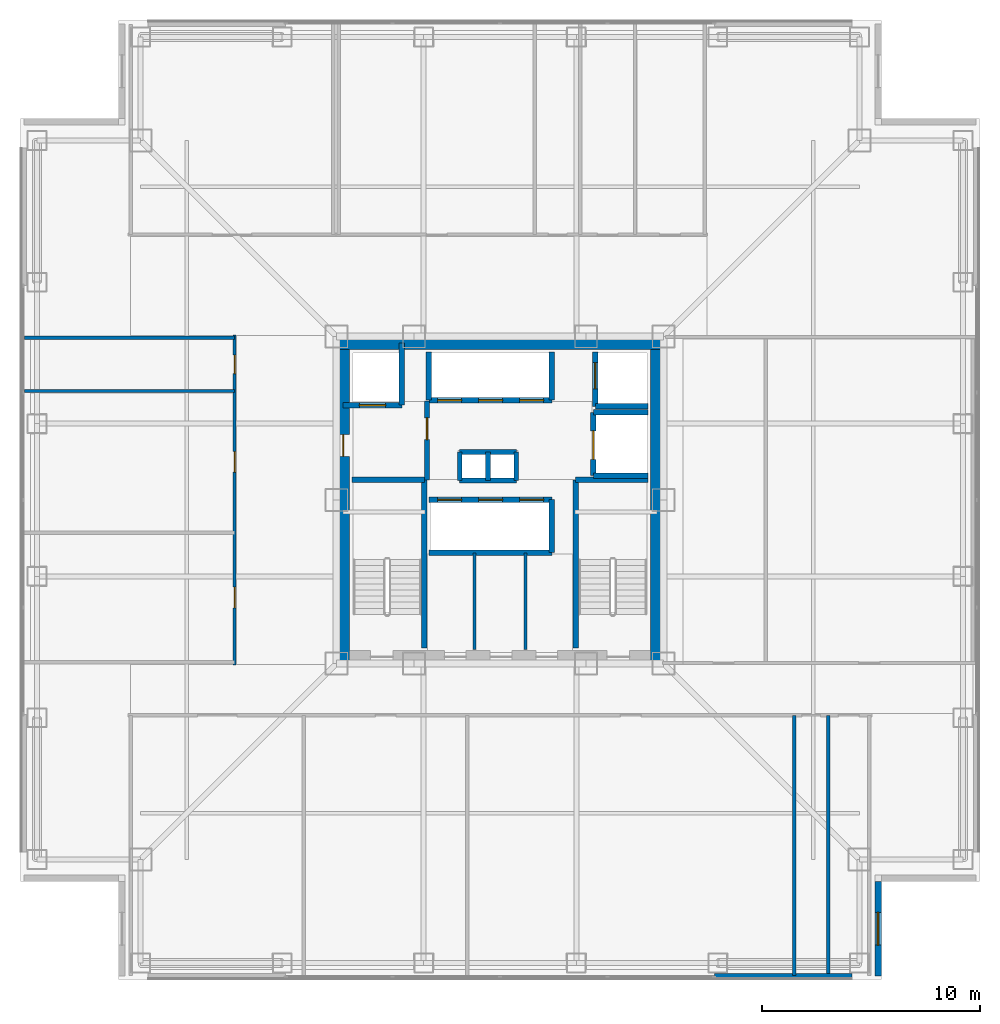
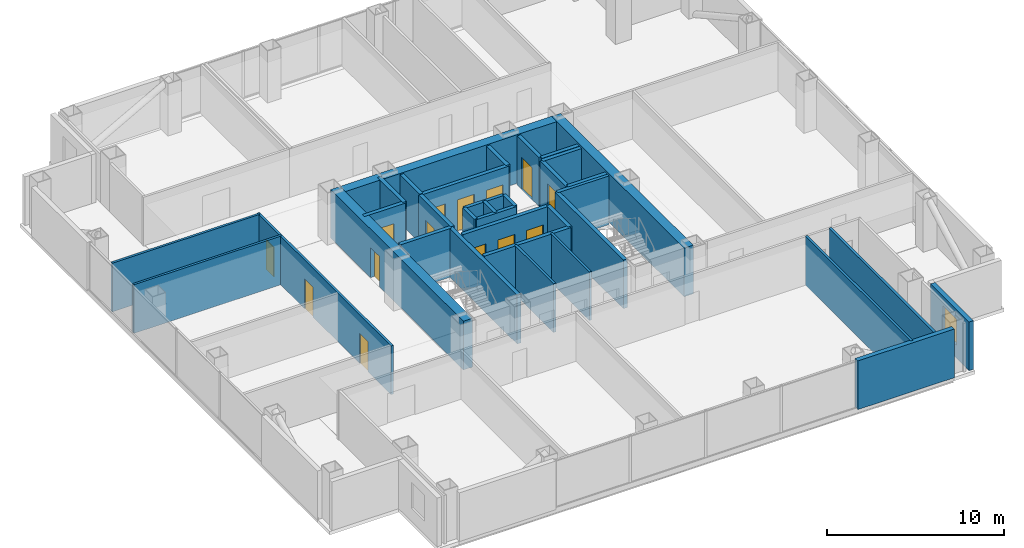
# One storey, part 12 of 16: 35 walls, 14 doors, 1 window, 15 openings.
"""IFC4 building model written with IfcOpenShell, lengths in metres."""

import ifcopenshell
import ifcopenshell.guid

model = None  # the IFC model being written
_history = None  # IfcOwnerHistory: only IFC2X3 demands one
_inside = {}  # id of a spatial element -> (the spatial element, [elements in it])
_under = {}  # id of a project, library or spatial element -> (it, [spatial elements below it])
_declared = {}  # id of a project -> (the project, [libraries it declares])
_typed = {}  # id of a type object -> (the type object, [elements of that type])
_made_of = {}  # id of a material, layer set ... -> (it, [elements and type objects made of it])


def new_model(schema):
    """Start an empty IFC model of exactly this schema.

    Asked for "IFC4X3", IfcOpenShell would pick the latest addendum, in which some entities
    have other attributes; the version numbers below select the first issue.
    IFC2X3 requires an IfcOwnerHistory on every rooted entity: one is made here for all.
    """
    global model, _history
    if schema == "IFC4X3":
        model = ifcopenshell.file(schema_version=(4, 3, 0, 0))
    else:
        model = ifcopenshell.file(schema=schema)
    _inside.clear()
    _under.clear()
    _declared.clear()
    _typed.clear()
    _made_of.clear()
    _history = None
    if model.schema == "IFC2X3":
        org = make("IfcOrganization", Name="unknown")
        user = make(
            "IfcPersonAndOrganization",
            ThePerson=make("IfcPerson", FamilyName="unknown"),
            TheOrganization=org,
        )
        app = make(
            "IfcApplication",
            ApplicationDeveloper=org,
            Version="unknown",
            ApplicationFullName="unknown",
            ApplicationIdentifier="unknown",
        )
        _history = make(
            "IfcOwnerHistory",
            OwningUser=user,
            OwningApplication=app,
            ChangeAction="ADDED",
            CreationDate=0,
        )
    return model


def make(cls, **values):
    """One entity of the class cls with the attributes given. An attribute that is None is left unset."""
    return model.create_entity(
        cls, **{name: value for name, value in values.items() if value is not None}
    )


def rooted(cls, **values):
    """An entity with a GlobalId (a new one), such as an element, a storey or a relation."""
    return make(cls, GlobalId=ifcopenshell.guid.new(), OwnerHistory=_history, **values)


def si_unit(unit_type, name, prefix=None):
    """IfcSIUnit, for example si_unit("LENGTHUNIT", "METRE", prefix="MILLI")."""
    return make("IfcSIUnit", UnitType=unit_type, Prefix=prefix, Name=name)


def assignment(units):
    """IfcUnitAssignment: the units of a project."""
    return None if units is None else make("IfcUnitAssignment", Units=units)


def point(xyz):
    """IfcCartesianPoint."""
    return None if xyz is None else make("IfcCartesianPoint", Coordinates=xyz)


def direction(xyz):
    """IfcDirection."""
    return None if xyz is None else make("IfcDirection", DirectionRatios=xyz)


def frame(location, z_axis=None, x_axis=None):
    """IfcAxis2Placement3D, a coordinate frame: its origin and axes. An axis left out is left unset."""
    return make(
        "IfcAxis2Placement3D",
        Location=point(location),
        Axis=direction(z_axis),
        RefDirection=direction(x_axis),
    )


def frame_2d(location, x_axis=None):
    """IfcAxis2Placement2D, a coordinate frame in the plane: its origin and x axis."""
    return make(
        "IfcAxis2Placement2D", Location=point(location), RefDirection=direction(x_axis)
    )


def origin():
    """The frame at (0, 0, 0) with its axes left unset."""
    return frame((0.0, 0.0, 0.0))


def place(relative_to, where):
    """IfcLocalPlacement: puts the frame where relative to a parent placement (None: the world)."""
    return make(
        "IfcLocalPlacement", PlacementRelTo=relative_to, RelativePlacement=where
    )


def context(
    kind, dimensions, precision=None, world=None, true_north=None, identifier=None
):
    """IfcGeometricRepresentationContext, for example the 3D "Model" context."""
    return make(
        "IfcGeometricRepresentationContext",
        ContextIdentifier=identifier,
        ContextType=kind,
        CoordinateSpaceDimension=dimensions,
        Precision=precision,
        WorldCoordinateSystem=world,
        TrueNorth=true_north,
    )


def subcontext(parent, identifier, kind, view, scale=None):
    """IfcGeometricRepresentationSubContext, for example "Body" below "Model"."""
    return make(
        "IfcGeometricRepresentationSubContext",
        ContextIdentifier=identifier,
        ContextType=kind,
        ParentContext=parent,
        TargetScale=scale,
        TargetView=view,
    )


def project(units=None, contexts=None):
    """IfcProject with its units and contexts."""
    return rooted(
        "IfcProject",
        Name="project",
        RepresentationContexts=contexts,
        UnitsInContext=assignment(units),
    )


def spatial(cls, under=None, at=None, **own):
    """A site, building, storey or space (cls), placed at a placement, below another one or the project."""
    s = rooted(cls, ObjectPlacement=at, **own)
    if under is not None:
        _under.setdefault(under.id(), (under, []))[1].append(s)
    return s


def profile(cls, at=None, kind="AREA", **sizes):
    """A parametric profile (cls). Its sizes go by their IFC names, for example OverallWidth=200.0."""
    return make(cls, ProfileType=kind, Position=at, **sizes)


def rectangle(**sizes):
    """IfcRectangleProfileDef."""
    return profile("IfcRectangleProfileDef", **sizes)


def extrude(swept, where, along, depth):
    """IfcExtrudedAreaSolid: the profile swept, set in the frame where, extruded along a direction by depth."""
    return make(
        "IfcExtrudedAreaSolid",
        SweptArea=swept,
        Position=where,
        ExtrudedDirection=direction(along),
        Depth=depth,
    )


def shape(context_of_items, identifier, shape_type, items):
    """IfcShapeRepresentation: the items that make up one representation, for example the "Body"."""
    return make(
        "IfcShapeRepresentation",
        ContextOfItems=context_of_items,
        RepresentationIdentifier=identifier,
        RepresentationType=shape_type,
        Items=items,
    )


def material(Name=None, Category=None):
    """IfcMaterial."""
    return make("IfcMaterial", Name=Name, Category=Category)


def layer(
    of_material, thickness, ventilated=None, Name=None, Category=None, Priority=None
):
    """IfcMaterialLayer: one layer of a wall or slab, of a material (None: an air gap)."""
    return make(
        "IfcMaterialLayer",
        Material=of_material,
        LayerThickness=thickness,
        IsVentilated=ventilated,
        Name=Name,
        Category=Category,
        Priority=Priority,
    )


def layer_set(layers, Name=None):
    """IfcMaterialLayerSet."""
    return make("IfcMaterialLayerSet", MaterialLayers=layers, LayerSetName=Name)


def made_of(thing, what):
    """Note that an element or type object is made of a material, layer set ...; save() writes the relation."""
    if what is not None:
        _made_of.setdefault(what.id(), (what, []))[1].append(thing)
    return thing


def type_object(cls, material=None, **own):
    """A type object (cls), such as IfcWallType, which elements share."""
    return made_of(rooted(cls, **own), material)


def element(
    cls,
    number,
    at=None,
    inside=None,
    cuts=None,
    type_object=None,
    material=None,
    context=None,
    identifier="Body",
    shape_type=None,
    held_by="IfcProductDefinitionShape",
    body=None,
    shapes=None,
    **own,
):
    """One element of the class cls, such as IfcWall. Its Tag is "e" and its number.

    at: its placement. inside: the storey or other place that contains it. cuts: it is an
    opening in that element (IfcRelVoidsElement). A single representation is given by context,
    identifier, shape_type and body (its items); several are given by shapes. held_by: the class
    of the entity that holds the representations. save() writes the other relations.
    """
    e = rooted(cls, Tag="e%d" % number, ObjectPlacement=at, **own)
    if body is not None:
        shapes = [shape(context, identifier, shape_type, body)]
    if shapes is not None:
        e.Representation = make(held_by, Representations=shapes)
    if inside is not None:
        _inside.setdefault(inside.id(), (inside, []))[1].append(e)
    if cuts is not None:
        rooted(
            "IfcRelVoidsElement", RelatingBuildingElement=cuts, RelatedOpeningElement=e
        )
    if type_object is not None:
        _typed.setdefault(type_object.id(), (type_object, []))[1].append(e)
    return made_of(e, material)


def fill(opening, filler):
    """IfcRelFillsElement: the door or window that sits in an opening."""
    return rooted(
        "IfcRelFillsElement",
        RelatingOpeningElement=opening,
        RelatedBuildingElement=filler,
    )


def aggregate(whole, parts):
    """IfcRelAggregates: a whole, such as a stair, and the parts it consists of."""
    return rooted("IfcRelAggregates", RelatingObject=whole, RelatedObjects=parts)


def save(model, path):
    """Write the relations noted so far, then the file.

    IfcRelAggregates (storeys below a building ...), IfcRelContainedInSpatialStructure (elements
    in a storey), IfcRelDefinesByType, IfcRelAssociatesMaterial and IfcRelDeclares: one each for
    every whole, place, type object, material and project.
    """
    for whole, parts in _under.values():
        aggregate(whole, parts)
    for where, things in _inside.values():
        rooted(
            "IfcRelContainedInSpatialStructure",
            RelatedElements=things,
            RelatingStructure=where,
        )
    for kind, things in _typed.values():
        rooted("IfcRelDefinesByType", RelatedObjects=things, RelatingType=kind)
    for what, things in _made_of.values():
        rooted("IfcRelAssociatesMaterial", RelatedObjects=things, RelatingMaterial=what)
    for by, libraries in _declared.values():
        rooted("IfcRelDeclares", RelatingContext=by, RelatedDefinitions=libraries)
    model.write(path)


model = new_model("IFC4")

# Units and contexts
model_context = context("Model", 3, precision=1e-05, world=origin(), true_north=direction((0.0, 1.0)))
body_context = subcontext(model_context, "Body", "Model", "MODEL_VIEW")
ifc_project = project(units=[si_unit("LENGTHUNIT", "METRE"), si_unit("AREAUNIT", "SQUARE_METRE"), si_unit("VOLUMEUNIT", "CUBIC_METRE"), si_unit("PLANEANGLEUNIT", "RADIAN"), si_unit("MASSUNIT", "GRAM", prefix="KILO")], contexts=[model_context])

# Site, building, storey
site_placement = place(None, origin())
site = spatial("IfcSite", under=ifc_project, at=site_placement, CompositionType="ELEMENT")
building_placement = place(site_placement, origin())
building = spatial("IfcBuilding", under=site, at=building_placement, Name="Trevonay Congress Spire", CompositionType="ELEMENT")
storey_placement = place(building_placement, frame((0.0, 0.0, 101.199951171875)))
storey = spatial("IfcBuildingStorey", under=building, at=storey_placement, Name="L25", CompositionType="ELEMENT", Elevation=101.199951171875)

# Wall
ifc_material_1 = material(Name="Concrete C60/75", Category="concrete")
ifc_layer_1 = layer(ifc_material_1, 0.60009765625, Name="Concrete C60/75")
ifc_layer_set_1 = layer_set([ifc_layer_1], Name="Concrete C60/75")
wall_type_1 = type_object("IfcWallType", Name="WAL-CORE-600", PredefinedType="SHEAR", material=ifc_layer_set_1)
wall_1_placement = place(storey_placement, frame((-7.5, 7.199951171875, 0.0), z_axis=(0.0, 0.0, 1.0), x_axis=(1.0, 0.0, 0.0)))
element("IfcWall", 1, at=wall_1_placement, inside=storey, type_object=wall_type_1, Name="L25 North structural core shear wall", PredefinedType="SHEAR", context=body_context, shape_type="SweptSolid", body=[
    extrude(rectangle(XDim=15.0, YDim=0.60009765625, at=frame_2d((7.5, 0.0))), origin(), (0.0, 0.0, 1.0), 3.360107421875),
])

# Wall, opening, door
wall_2_placement = place(storey_placement, frame((-7.199951171875, -7.5, 0.0), z_axis=(0.0, 0.0, 1.0), x_axis=(0.0, 1.0, 0.0)))
wall_2 = element("IfcWall", 2, at=wall_2_placement, inside=storey, type_object=wall_type_1, Name="L25 West structural core shear wall", PredefinedType="SHEAR", context=body_context, shape_type="SweptSolid", body=[
    extrude(rectangle(XDim=15.0, YDim=0.60009765625, at=frame_2d((7.5, 0.0))), origin(), (0.0, 0.0, 1.0), 3.360107421875),
])
opening_1_placement = place(wall_2_placement, frame((9.5, 0.0, 0.0)))
opening_1 = element("IfcOpeningElement", 3, at=opening_1_placement, cuts=wall_2, Name="Opening D06", PredefinedType="OPENING", context=body_context, shape_type="SweptSolid", body=[
    extrude(rectangle(XDim=1.0, YDim=2.080078125, at=frame_2d((0.5, 1.0400390625))), frame((0.0, 0.31005859375, 0.0), z_axis=(0.0, -1.0, 0.0), x_axis=(1.0, 0.0, 0.0)), (0.0, 0.0, 1.0), 0.6201171875),
])
ifc_material_2 = material(Name="Steel ASTM A572 Grade 50", Category="steel")
door_type_1 = type_object("IfcDoorType", Name="DOR-FIRE-100", OperationType="NOTDEFINED", PredefinedType="DOOR", material=ifc_material_2)
door_1_placement = place(opening_1_placement, origin())
door_1 = element("IfcDoor", 4, at=door_1_placement, inside=storey, type_object=door_type_1, Name="L25 Firefighting Lift Lobby West Corridor Door", OperationType="SINGLE_SWING_RIGHT", OverallHeight=2.080078125, OverallWidth=1.0, PredefinedType="DOOR", context=body_context, shape_type="SweptSolid", body=[
    extrude(rectangle(XDim=1.0, YDim=2.080078125, at=frame_2d((0.5, 1.0400390625))), frame((0.0, 0.02490234375, 0.0), z_axis=(0.0, -1.0, 0.0), x_axis=(1.0, 0.0, 0.0)), (0.0, 0.0, 1.0), 0.050048828125),
])
fill(opening_1, door_1)

# Wall
wall_3_placement = place(storey_placement, frame((7.199951171875, -7.5, 0.0), z_axis=(0.0, 0.0, 1.0), x_axis=(0.0, 1.0, 0.0)))
element("IfcWall", 5, at=wall_3_placement, inside=storey, type_object=wall_type_1, Name="L25 East structural core shear wall", PredefinedType="SHEAR", context=body_context, shape_type="SweptSolid", body=[
    extrude(rectangle(XDim=15.0, YDim=0.60009765625, at=frame_2d((7.5, 0.0))), origin(), (0.0, 0.0, 1.0), 3.360107421875),
])

# Wall, openings, doors
ifc_material_3 = material(Name="Concrete C40/50", Category="concrete")
ifc_layer_2 = layer(ifc_material_3, 0.14990234375, Name="Concrete C40/50")
ifc_layer_set_2 = layer_set([ifc_layer_2], Name="Concrete C40/50")
wall_type_2 = type_object("IfcWallType", Name="WAL-CORR-150", PredefinedType="PARTITIONING", material=ifc_layer_set_2)
wall_4_placement = place(storey_placement, frame((-12.179931640625, -7.570068359375, 0.0), z_axis=(0.0, 0.0, 1.0), x_axis=(0.0, 1.0, 0.0)))
wall_4 = element("IfcWall", 6, at=wall_4_placement, inside=storey, type_object=wall_type_2, Name="L25 interior wall WP-L25W-COR", PredefinedType="PARTITIONING", context=body_context, shape_type="SweptSolid", body=[
    extrude(rectangle(XDim=15.14013671875, YDim=0.14990234375, at=frame_2d((7.570068359375, 0.0))), origin(), (0.0, 0.0, 1.0), 3.360107421875),
])
opening_2_placement = place(wall_4_placement, frame((2.6201171875, 0.0, 0.0)))
opening_2 = element("IfcOpeningElement", 7, at=opening_2_placement, cuts=wall_4, Name="Opening D07", PredefinedType="OPENING", context=body_context, shape_type="SweptSolid", body=[
    extrude(rectangle(XDim=0.949951171875, YDim=2.06005859375, at=frame_2d((0.47509765625, 1.030029296875))), frame((0.0, 0.0849609375, 0.0), z_axis=(0.0, -1.0, 0.0), x_axis=(1.0, 0.0, 0.0)), (0.0, 0.0, 1.0), 0.169921875),
])
opening_3_placement = place(wall_4_placement, frame((8.844970703125, 0.0, 0.0)))
opening_3 = element("IfcOpeningElement", 8, at=opening_3_placement, cuts=wall_4, Name="Opening D07", PredefinedType="OPENING", context=body_context, shape_type="SweptSolid", body=[
    extrude(rectangle(XDim=0.949951171875, YDim=2.06005859375, at=frame_2d((0.47509765625, 1.030029296875))), frame((0.0, 0.0849609375, 0.0), z_axis=(0.0, -1.0, 0.0), x_axis=(1.0, 0.0, 0.0)), (0.0, 0.0, 1.0), 0.169921875),
])
opening_4_placement = place(wall_4_placement, frame((13.3701171875, 0.0, 0.0)))
opening_4 = element("IfcOpeningElement", 9, at=opening_4_placement, cuts=wall_4, Name="Opening D10", PredefinedType="OPENING", context=body_context, shape_type="SweptSolid", body=[
    extrude(rectangle(XDim=0.85009765625, YDim=2.050048828125, at=frame_2d((0.425048828125, 1.02490234375))), frame((0.0, 0.0849609375, 0.0), z_axis=(0.0, -1.0, 0.0), x_axis=(1.0, 0.0, 0.0)), (0.0, 0.0, 1.0), 0.169921875),
])
ifc_material_4 = material(Name="Pale Anodised Aluminium EN AW-6063-T6", Category="aluminium")
door_type_2 = type_object("IfcDoorType", Name="DOR-OFFICE-95", OperationType="NOTDEFINED", PredefinedType="DOOR", material=ifc_material_4)
door_2_placement = place(opening_2_placement, origin())
door_2 = element("IfcDoor", 10, at=door_2_placement, inside=storey, type_object=door_type_2, Name="L25 Delegation Caucus Room West Door", OperationType="SINGLE_SWING_LEFT", OverallHeight=2.06005859375, OverallWidth=0.949951171875, PredefinedType="DOOR", context=body_context, shape_type="SweptSolid", body=[
    extrude(rectangle(XDim=0.949951171875, YDim=2.06005859375, at=frame_2d((0.47509765625, 1.030029296875))), frame((0.0, 0.02490234375, 0.0), z_axis=(0.0, -1.0, 0.0), x_axis=(1.0, 0.0, 0.0)), (0.0, 0.0, 1.0), 0.050048828125),
])
fill(opening_2, door_2)
door_3_placement = place(opening_3_placement, origin())
door_3 = element("IfcDoor", 11, at=door_3_placement, inside=storey, type_object=door_type_2, Name="L25 Rapporteur Drafting Office Door", OperationType="SINGLE_SWING_RIGHT", OverallHeight=2.06005859375, OverallWidth=0.949951171875, PredefinedType="DOOR", context=body_context, shape_type="SweptSolid", body=[
    extrude(rectangle(XDim=0.949951171875, YDim=2.06005859375, at=frame_2d((0.47509765625, 1.030029296875))), frame((0.0, 0.02490234375, 0.0), z_axis=(0.0, -1.0, 0.0), x_axis=(1.0, 0.0, 0.0)), (0.0, 0.0, 1.0), 0.050048828125),
])
fill(opening_3, door_3)
door_type_3 = type_object("IfcDoorType", Name="DOR-WC-85", OperationType="NOTDEFINED", PredefinedType="DOOR", material=ifc_material_4)
door_4_placement = place(opening_4_placement, origin())
door_4 = element("IfcDoor", 12, at=door_4_placement, inside=storey, type_object=door_type_3, Name="L25 Male Restroom WC Door", OperationType="SINGLE_SWING_LEFT", OverallHeight=2.050048828125, OverallWidth=0.85009765625, PredefinedType="DOOR", context=body_context, shape_type="SweptSolid", body=[
    extrude(rectangle(XDim=0.85009765625, YDim=2.050048828125, at=frame_2d((0.425048828125, 1.02490234375))), frame((0.0, 0.02490234375, 0.0), z_axis=(0.0, -1.0, 0.0), x_axis=(1.0, 0.0, 0.0)), (0.0, 0.0, 1.0), 0.050048828125),
])
fill(opening_4, door_4)

# Wall
ifc_material_5 = material(Name="Precast concrete C40/50", Category="concrete")
ifc_layer_3 = layer(ifc_material_5, 0.300048828125, Name="Precast concrete C40/50")
ifc_layer_set_3 = layer_set([ifc_layer_3], Name="Precast concrete C40/50")
wall_type_3 = type_object("IfcWallType", Name="WAL-EXT-PRECAST-300", PredefinedType="SOLIDWALL", material=ifc_layer_set_3)
wall_5_placement = place(storey_placement, frame((9.85009765625, -21.8798828125, 0.0), z_axis=(0.0, 0.0, 1.0), x_axis=(1.0, 0.0, 0.0)))
element("IfcWall", 13, at=wall_5_placement, inside=storey, type_object=wall_type_3, Name="L25 SR braced-bay exterior pier wall", PredefinedType="SOLIDWALL", context=body_context, shape_type="SweptSolid", body=[
    extrude(rectangle(XDim=6.2998046875, YDim=0.300048828125, at=frame_2d((3.14990234375, 0.0))), origin(), (0.0, 0.0, 1.0), 3.360107421875),
])

# Wall, opening, window
wall_6_placement = place(storey_placement, frame((17.35009765625, -21.85009765625, 0.0), z_axis=(0.0, 0.0, 1.0), x_axis=(0.0, 1.0, 0.0)))
wall_6 = element("IfcWall", 14, at=wall_6_placement, inside=storey, type_object=wall_type_3, Name="L25 SE re-entrant notch exterior wall 1", PredefinedType="SOLIDWALL", context=body_context, shape_type="SweptSolid", body=[
    extrude(rectangle(XDim=4.35009765625, YDim=0.300048828125, at=frame_2d((2.175048828125, 0.0))), origin(), (0.0, 0.0, 1.0), 3.360107421875),
])
opening_5_placement = place(wall_6_placement, frame((1.425048828125, 0.0, 0.89990234375)))
opening_5 = element("IfcOpeningElement", 15, at=opening_5_placement, cuts=wall_6, Name="Opening WN03", PredefinedType="OPENING", context=body_context, shape_type="SweptSolid", body=[
    extrude(rectangle(XDim=1.5, YDim=1.800048828125, at=frame_2d((0.75, 0.89990234375))), frame((0.0, 0.16015625, 0.0), z_axis=(0.0, -1.0, 0.0), x_axis=(1.0, 0.0, 0.0)), (0.0, 0.0, 1.0), 0.320068359375),
])
ifc_material_6 = material(Name="Insulated Low-E Vision Glass IGU", Category="glass")
window_type = type_object("IfcWindowType", Name="WIN-NOTCH-150X180", PartitioningType="SINGLE_PANEL", PredefinedType="WINDOW", material=ifc_material_6)
window_placement = place(opening_5_placement, origin())
window = element("IfcWindow", 16, at=window_placement, inside=storey, type_object=window_type, Name="L25 SE corner notch window", OverallHeight=1.800048828125, OverallWidth=1.5, PartitioningType="SINGLE_PANEL", PredefinedType="WINDOW", context=body_context, shape_type="SweptSolid", body=[
    extrude(rectangle(XDim=1.5, YDim=1.800048828125, at=frame_2d((0.75, 0.89990234375))), frame((0.0, 0.030029296875, 0.0), z_axis=(0.0, -1.0, 0.0), x_axis=(1.0, 0.0, 0.0)), (0.0, 0.0, 1.0), 0.06005859375),
])
fill(opening_5, window)

# Walls
ifc_layer_4 = layer(ifc_material_3, 0.14990234375, Name="Concrete C40/50")
ifc_layer_set_4 = layer_set([ifc_layer_4], Name="Concrete C40/50")
wall_type_4 = type_object("IfcWallType", Name="WAL-PART-150", PredefinedType="PARTITIONING", material=ifc_layer_set_4)
for number, where, z_axis, x_axis, name in (
    (17, (-1.169921875, -6.85009765625, 0.0), (0.0, 0.0, 1.0), (0.0, 1.0, 0.0), "L25 interior wall CW-F2A-L25"),
    (18, (1.169921875, -6.85009765625, 0.0), (0.0, 0.0, 1.0), (0.0, 1.0, 0.0), "L25 interior wall CW-F2B-L25"),
):
    element("IfcWall", number, at=place(storey_placement, frame(where, z_axis=z_axis, x_axis=x_axis)), inside=storey, type_object=wall_type_4, Name=name, PredefinedType="PARTITIONING", context=body_context, shape_type="SweptSolid", body=[
        extrude(rectangle(XDim=4.420166015625, YDim=0.14990234375, at=frame_2d((2.2099609375, 0.0))), origin(), (0.0, 0.0, 1.0), 3.360107421875),
    ])
wall_7_placement = place(storey_placement, frame((13.5, -21.820068359375, 0.0), z_axis=(0.0, 0.0, 1.0), x_axis=(0.0, 1.0, 0.0)))
element("IfcWall", 19, at=wall_7_placement, inside=storey, type_object=wall_type_4, Name="L25 interior wall WP-L25S-DIV4", PredefinedType="PARTITIONING", context=body_context, shape_type="SweptSolid", body=[
    extrude(rectangle(XDim=11.940185546875, YDim=0.14990234375, at=frame_2d((5.97021484375, 0.0))), origin(), (0.0, 0.0, 1.0), 3.360107421875),
])
for number, where, z_axis, x_axis, name in (
    (20, (-21.820068359375, 5.0, 0.0), (0.0, 0.0, 1.0), (1.0, 0.0, 0.0), "L25 interior wall WP-L25W-DIV3"),
    (21, (-21.820068359375, 7.449951171875, 0.0), (0.0, 0.0, 1.0), (1.0, 0.0, 0.0), "L25 interior wall WP-L25W-DIV4"),
):
    element("IfcWall", number, at=place(storey_placement, frame(where, z_axis=z_axis, x_axis=x_axis)), inside=storey, type_object=wall_type_4, Name=name, PredefinedType="PARTITIONING", context=body_context, shape_type="SweptSolid", body=[
        extrude(rectangle(XDim=9.64013671875, YDim=0.14990234375, at=frame_2d((4.820068359375, 0.0))), origin(), (0.0, 0.0, 1.0), 3.360107421875),
    ])
ifc_layer_5 = layer(ifc_material_3, 0.219970703125, Name="Concrete C40/50")
ifc_layer_set_5 = layer_set([ifc_layer_5], Name="Concrete C40/50")
wall_type_5 = type_object("IfcWallType", Name="WAL-SHAFT-220", PredefinedType="PARTITIONING", material=ifc_layer_set_5)
for number, where, z_axis, x_axis, name in (
    (22, (-1.85009765625, 2.199951171875, 0.0), (0.0, 0.0, 1.0), (1.0, 0.0, 0.0), "L25 interior shaft wall WSH-L25-RSR-N"),
    (23, (-1.85009765625, 0.89990234375, 0.0), (0.0, 0.0, 1.0), (1.0, 0.0, 0.0), "L25 interior shaft wall WSH-L25-RSR-S"),
):
    element("IfcWall", number, at=place(storey_placement, frame(where, z_axis=z_axis, x_axis=x_axis)), inside=storey, type_object=wall_type_5, Name=name, PredefinedType="PARTITIONING", context=body_context, shape_type="SweptSolid", body=[
        extrude(rectangle(XDim=2.60009765625, YDim=0.219970703125, at=frame_2d((1.300048828125, 0.0))), origin(), (0.0, 0.0, 1.0), 3.360107421875),
    ])
for number, where, z_axis, x_axis, name in (
    (24, (-0.550048828125, 0.89990234375, 0.0), (0.0, 0.0, 1.0), (0.0, 1.0, 0.0), "L25 interior shaft wall WSH-L25-RSR-M"),
    (25, (0.75, 0.89990234375, 0.0), (0.0, 0.0, 1.0), (0.0, 1.0, 0.0), "L25 interior shaft wall WSH-L25-RSR-E"),
    (26, (-1.85009765625, 0.89990234375, 0.0), (0.0, 0.0, 1.0), (0.0, 1.0, 0.0), "L25 interior shaft wall WSH-L25-RSR-W"),
):
    element("IfcWall", number, at=place(storey_placement, frame(where, z_axis=z_axis, x_axis=x_axis)), inside=storey, type_object=wall_type_5, Name=name, PredefinedType="PARTITIONING", context=body_context, shape_type="SweptSolid", body=[
        extrude(rectangle(XDim=1.300048828125, YDim=0.219970703125, at=frame_2d((0.64990234375, 0.0))), origin(), (0.0, 0.0, 1.0), 3.360107421875),
    ])

# Wall, openings, doors
ifc_layer_6 = layer(ifc_material_3, 0.25, Name="Concrete C40/50")
ifc_layer_set_6 = layer_set([ifc_layer_6], Name="Concrete C40/50")
wall_type_6 = type_object("IfcWallType", Name="WAL-SHAFT-250", PredefinedType="SHEAR", material=ifc_layer_set_6)
wall_8_placement = place(storey_placement, frame((-3.260009765625, 0.02001953125, 0.0), z_axis=(0.0, 0.0, 1.0), x_axis=(1.0, 0.0, 0.0)))
wall_8 = element("IfcWall", 27, at=wall_8_placement, inside=storey, type_object=wall_type_6, Name="L25 interior shaft wall WSH-L25-B2-N", PredefinedType="SHEAR", context=body_context, shape_type="SweptSolid", body=[
    extrude(rectangle(XDim=5.639892578125, YDim=0.25, at=frame_2d((2.81982421875, 0.0))), origin(), (0.0, 0.0, 1.0), 3.360107421875),
])
opening_6_placement = place(wall_8_placement, frame((0.39990234375, 0.0, 0.0)))
opening_6 = element("IfcOpeningElement", 28, at=opening_6_placement, cuts=wall_8, Name="Opening LD02", PredefinedType="OPENING", context=body_context, shape_type="SweptSolid", body=[
    extrude(rectangle(XDim=1.10009765625, YDim=2.199951171875, at=frame_2d((0.550048828125, 1.10009765625))), frame((0.0, 0.135009765625, 0.0), z_axis=(0.0, -1.0, 0.0), x_axis=(1.0, 0.0, 0.0)), (0.0, 0.0, 1.0), 0.27001953125),
])
opening_7_placement = place(wall_8_placement, frame((2.280029296875, 0.0, 0.0)))
opening_7 = element("IfcOpeningElement", 29, at=opening_7_placement, cuts=wall_8, Name="Opening LD02", PredefinedType="OPENING", context=body_context, shape_type="SweptSolid", body=[
    extrude(rectangle(XDim=1.10009765625, YDim=2.199951171875, at=frame_2d((0.550048828125, 1.10009765625))), frame((0.0, 0.135009765625, 0.0), z_axis=(0.0, -1.0, 0.0), x_axis=(1.0, 0.0, 0.0)), (0.0, 0.0, 1.0), 0.27001953125),
])
opening_8_placement = place(wall_8_placement, frame((4.159912109375, 0.0, 0.0)))
opening_8 = element("IfcOpeningElement", 30, at=opening_8_placement, cuts=wall_8, Name="Opening LD02", PredefinedType="OPENING", context=body_context, shape_type="SweptSolid", body=[
    extrude(rectangle(XDim=1.10009765625, YDim=2.199951171875, at=frame_2d((0.550048828125, 1.10009765625))), frame((0.0, 0.135009765625, 0.0), z_axis=(0.0, -1.0, 0.0), x_axis=(1.0, 0.0, 0.0)), (0.0, 0.0, 1.0), 0.27001953125),
])
door_type_4 = type_object("IfcDoorType", Name="DOR-LIFT-LD02", OperationType="DOUBLE_DOOR_SLIDING", PredefinedType="DOOR", material=ifc_material_4)
door_5_placement = place(opening_6_placement, origin())
door_5 = element("IfcDoor", 31, at=door_5_placement, inside=storey, type_object=door_type_4, Name="L25 Passenger lift PL-04 landing door", OperationType="DOUBLE_DOOR_SLIDING", OverallHeight=2.199951171875, OverallWidth=1.10009765625, PredefinedType="DOOR", context=body_context, shape_type="SweptSolid", body=[
    extrude(rectangle(XDim=1.10009765625, YDim=2.199951171875, at=frame_2d((0.550048828125, 1.10009765625))), frame((0.0, 0.02490234375, 0.0), z_axis=(0.0, -1.0, 0.0), x_axis=(1.0, 0.0, 0.0)), (0.0, 0.0, 1.0), 0.050048828125),
])
fill(opening_6, door_5)
door_6_placement = place(opening_7_placement, origin())
door_6 = element("IfcDoor", 32, at=door_6_placement, inside=storey, type_object=door_type_4, Name="L25 Passenger lift PL-05 landing door", OperationType="DOUBLE_DOOR_SLIDING", OverallHeight=2.199951171875, OverallWidth=1.10009765625, PredefinedType="DOOR", context=body_context, shape_type="SweptSolid", body=[
    extrude(rectangle(XDim=1.10009765625, YDim=2.199951171875, at=frame_2d((0.550048828125, 1.10009765625))), frame((0.0, 0.02490234375, 0.0), z_axis=(0.0, -1.0, 0.0), x_axis=(1.0, 0.0, 0.0)), (0.0, 0.0, 1.0), 0.050048828125),
])
fill(opening_7, door_6)
door_7_placement = place(opening_8_placement, origin())
door_7 = element("IfcDoor", 33, at=door_7_placement, inside=storey, type_object=door_type_4, Name="L25 Passenger lift PL-06 landing door", OperationType="DOUBLE_DOOR_SLIDING", OverallHeight=2.199951171875, OverallWidth=1.10009765625, PredefinedType="DOOR", context=body_context, shape_type="SweptSolid", body=[
    extrude(rectangle(XDim=1.10009765625, YDim=2.199951171875, at=frame_2d((0.550048828125, 1.10009765625))), frame((0.0, 0.02490234375, 0.0), z_axis=(0.0, -1.0, 0.0), x_axis=(1.0, 0.0, 0.0)), (0.0, 0.0, 1.0), 0.050048828125),
])
fill(opening_8, door_7)

# Walls
wall_9_placement = place(storey_placement, frame((-3.260009765625, -2.419921875, 0.0), z_axis=(0.0, 0.0, 1.0), x_axis=(1.0, 0.0, 0.0)))
element("IfcWall", 34, at=wall_9_placement, inside=storey, type_object=wall_type_6, Name="L25 interior shaft wall WSH-L25-B2-S", PredefinedType="SHEAR", context=body_context, shape_type="SweptSolid", body=[
    extrude(rectangle(XDim=5.639892578125, YDim=0.25, at=frame_2d((2.81982421875, 0.0))), origin(), (0.0, 0.0, 1.0), 3.360107421875),
])
wall_10_placement = place(storey_placement, frame((2.3798828125, -2.419921875, 0.0), z_axis=(0.0, 0.0, 1.0), x_axis=(0.0, 1.0, 0.0)))
element("IfcWall", 35, at=wall_10_placement, inside=storey, type_object=wall_type_6, Name="L25 interior shaft wall WSH-L25-B2-E", PredefinedType="SHEAR", context=body_context, shape_type="SweptSolid", body=[
    extrude(rectangle(XDim=2.43994140625, YDim=0.25, at=frame_2d((1.219970703125, 0.0))), origin(), (0.0, 0.0, 1.0), 3.360107421875),
])

# Wall, openings, doors
wall_11_placement = place(storey_placement, frame((-3.260009765625, 4.580078125, 0.0), z_axis=(0.0, 0.0, 1.0), x_axis=(1.0, 0.0, 0.0)))
wall_11 = element("IfcWall", 36, at=wall_11_placement, inside=storey, type_object=wall_type_6, Name="L25 interior shaft wall WSH-L25-B3-S", PredefinedType="SHEAR", context=body_context, shape_type="SweptSolid", body=[
    extrude(rectangle(XDim=5.639892578125, YDim=0.25, at=frame_2d((2.81982421875, 0.0))), origin(), (0.0, 0.0, 1.0), 3.360107421875),
])
opening_9_placement = place(wall_11_placement, frame((0.39990234375, 0.0, 0.0)))
opening_9 = element("IfcOpeningElement", 37, at=opening_9_placement, cuts=wall_11, Name="Opening LD03", PredefinedType="OPENING", context=body_context, shape_type="SweptSolid", body=[
    extrude(rectangle(XDim=1.10009765625, YDim=2.199951171875, at=frame_2d((0.550048828125, 1.10009765625))), frame((0.0, 0.135009765625, 0.0), z_axis=(0.0, -1.0, 0.0), x_axis=(1.0, 0.0, 0.0)), (0.0, 0.0, 1.0), 0.27001953125),
])
opening_10_placement = place(wall_11_placement, frame((2.280029296875, 0.0, 0.0)))
opening_10 = element("IfcOpeningElement", 38, at=opening_10_placement, cuts=wall_11, Name="Opening LD03", PredefinedType="OPENING", context=body_context, shape_type="SweptSolid", body=[
    extrude(rectangle(XDim=1.10009765625, YDim=2.199951171875, at=frame_2d((0.550048828125, 1.10009765625))), frame((0.0, 0.135009765625, 0.0), z_axis=(0.0, -1.0, 0.0), x_axis=(1.0, 0.0, 0.0)), (0.0, 0.0, 1.0), 0.27001953125),
])
opening_11_placement = place(wall_11_placement, frame((4.159912109375, 0.0, 0.0)))
opening_11 = element("IfcOpeningElement", 39, at=opening_11_placement, cuts=wall_11, Name="Opening LD03", PredefinedType="OPENING", context=body_context, shape_type="SweptSolid", body=[
    extrude(rectangle(XDim=1.10009765625, YDim=2.199951171875, at=frame_2d((0.550048828125, 1.10009765625))), frame((0.0, 0.135009765625, 0.0), z_axis=(0.0, -1.0, 0.0), x_axis=(1.0, 0.0, 0.0)), (0.0, 0.0, 1.0), 0.27001953125),
])
door_type_5 = type_object("IfcDoorType", Name="DOR-LIFT-LD03", OperationType="DOUBLE_DOOR_SLIDING", PredefinedType="DOOR", material=ifc_material_4)
door_8_placement = place(opening_9_placement, origin())
door_8 = element("IfcDoor", 40, at=door_8_placement, inside=storey, type_object=door_type_5, Name="L25 Passenger lift PL-07 landing door", OperationType="DOUBLE_DOOR_SLIDING", OverallHeight=2.199951171875, OverallWidth=1.10009765625, PredefinedType="DOOR", context=body_context, shape_type="SweptSolid", body=[
    extrude(rectangle(XDim=1.10009765625, YDim=2.199951171875, at=frame_2d((0.550048828125, 1.10009765625))), frame((0.0, 0.02490234375, 0.0), z_axis=(0.0, -1.0, 0.0), x_axis=(1.0, 0.0, 0.0)), (0.0, 0.0, 1.0), 0.050048828125),
])
fill(opening_9, door_8)
door_9_placement = place(opening_10_placement, origin())
door_9 = element("IfcDoor", 41, at=door_9_placement, inside=storey, type_object=door_type_5, Name="L25 Passenger lift PL-08 landing door", OperationType="DOUBLE_DOOR_SLIDING", OverallHeight=2.199951171875, OverallWidth=1.10009765625, PredefinedType="DOOR", context=body_context, shape_type="SweptSolid", body=[
    extrude(rectangle(XDim=1.10009765625, YDim=2.199951171875, at=frame_2d((0.550048828125, 1.10009765625))), frame((0.0, 0.02490234375, 0.0), z_axis=(0.0, -1.0, 0.0), x_axis=(1.0, 0.0, 0.0)), (0.0, 0.0, 1.0), 0.050048828125),
])
fill(opening_10, door_9)
door_10_placement = place(opening_11_placement, origin())
door_10 = element("IfcDoor", 42, at=door_10_placement, inside=storey, type_object=door_type_5, Name="L25 Passenger lift PL-09 landing door", OperationType="DOUBLE_DOOR_SLIDING", OverallHeight=2.199951171875, OverallWidth=1.10009765625, PredefinedType="DOOR", context=body_context, shape_type="SweptSolid", body=[
    extrude(rectangle(XDim=1.10009765625, YDim=2.199951171875, at=frame_2d((0.550048828125, 1.10009765625))), frame((0.0, 0.02490234375, 0.0), z_axis=(0.0, -1.0, 0.0), x_axis=(1.0, 0.0, 0.0)), (0.0, 0.0, 1.0), 0.050048828125),
])
fill(opening_11, door_10)

# Walls
for number, where, z_axis, x_axis, name in (
    (43, (-3.260009765625, 4.580078125, 0.0), (0.0, 0.0, 1.0), (0.0, 1.0, 0.0), "L25 interior shaft wall WSH-L25-B3-W"),
    (44, (2.3798828125, 4.580078125, 0.0), (0.0, 0.0, 1.0), (0.0, 1.0, 0.0), "L25 interior shaft wall WSH-L25-B3-E"),
):
    element("IfcWall", number, at=place(storey_placement, frame(where, z_axis=z_axis, x_axis=x_axis)), inside=storey, type_object=wall_type_6, Name=name, PredefinedType="SHEAR", context=body_context, shape_type="SweptSolid", body=[
        extrude(rectangle(XDim=2.219970703125, YDim=0.25, at=frame_2d((1.10986328125, 0.0))), origin(), (0.0, 0.0, 1.0), 3.360107421875),
    ])

# Wall, opening, door
wall_12_placement = place(storey_placement, frame((-7.199951171875, 4.35009765625, 0.0), z_axis=(0.0, 0.0, 1.0), x_axis=(1.0, 0.0, 0.0)))
wall_12 = element("IfcWall", 45, at=wall_12_placement, inside=storey, type_object=wall_type_6, Name="L25 interior shaft wall WSH-L25-FF1-S", PredefinedType="SHEAR", context=body_context, shape_type="SweptSolid", body=[
    extrude(rectangle(XDim=2.699951171875, YDim=0.25, at=frame_2d((1.35009765625, 0.0))), origin(), (0.0, 0.0, 1.0), 3.360107421875),
])
opening_12_placement = place(wall_12_placement, frame((0.75, 0.0, 0.0)))
opening_12 = element("IfcOpeningElement", 46, at=opening_12_placement, cuts=wall_12, Name="Opening LD04", PredefinedType="OPENING", context=body_context, shape_type="SweptSolid", body=[
    extrude(rectangle(XDim=1.199951171875, YDim=2.199951171875, at=frame_2d((0.60009765625, 1.10009765625))), frame((0.0, 0.135009765625, 0.0), z_axis=(0.0, -1.0, 0.0), x_axis=(1.0, 0.0, 0.0)), (0.0, 0.0, 1.0), 0.27001953125),
])
door_type_6 = type_object("IfcDoorType", Name="DOR-LIFT-LD04", OperationType="DOUBLE_DOOR_SLIDING", PredefinedType="DOOR", material=ifc_material_2)
door_11_placement = place(opening_12_placement, origin())
door_11 = element("IfcDoor", 47, at=door_11_placement, inside=storey, type_object=door_type_6, Name="L25 Firefighting lift FFL-01 landing door", OperationType="DOUBLE_DOOR_SLIDING", OverallHeight=2.199951171875, OverallWidth=1.199951171875, PredefinedType="DOOR", context=body_context, shape_type="SweptSolid", body=[
    extrude(rectangle(XDim=1.199951171875, YDim=2.199951171875, at=frame_2d((0.60009765625, 1.10009765625))), frame((0.0, 0.02490234375, 0.0), z_axis=(0.0, -1.0, 0.0), x_axis=(1.0, 0.0, 0.0)), (0.0, 0.0, 1.0), 0.050048828125),
])
fill(opening_12, door_11)

# Walls
wall_13_placement = place(storey_placement, frame((-4.5, 4.35009765625, 0.0), z_axis=(0.0, 0.0, 1.0), x_axis=(0.0, 1.0, 0.0)))
element("IfcWall", 48, at=wall_13_placement, inside=storey, type_object=wall_type_6, Name="L25 interior shaft wall WSH-L25-FF1-E", PredefinedType="SHEAR", context=body_context, shape_type="SweptSolid", body=[
    extrude(rectangle(XDim=2.849853515625, YDim=0.25, at=frame_2d((1.4248046875, 0.0))), origin(), (0.0, 0.0, 1.0), 3.360107421875),
])
wall_14_placement = place(storey_placement, frame((4.3798828125, 4.300048828125, 0.0), z_axis=(0.0, 0.0, 1.0), x_axis=(1.0, 0.0, 0.0)))
element("IfcWall", 49, at=wall_14_placement, inside=storey, type_object=wall_type_6, Name="L25 interior shaft wall WSH-L25-FF2-S", PredefinedType="SHEAR", context=body_context, shape_type="SweptSolid", body=[
    extrude(rectangle(XDim=2.420166015625, YDim=0.25, at=frame_2d((1.2099609375, 0.0))), origin(), (0.0, 0.0, 1.0), 3.360107421875),
])

# Wall, opening, door
wall_15_placement = place(storey_placement, frame((4.3798828125, 4.300048828125, 0.0), z_axis=(0.0, 0.0, 1.0), x_axis=(0.0, 1.0, 0.0)))
wall_15 = element("IfcWall", 50, at=wall_15_placement, inside=storey, type_object=wall_type_6, Name="L25 interior shaft wall WSH-L25-FF2-W", PredefinedType="SHEAR", context=body_context, shape_type="SweptSolid", body=[
    extrude(rectangle(XDim=2.5, YDim=0.25, at=frame_2d((1.25, 0.0))), origin(), (0.0, 0.0, 1.0), 3.360107421875),
])
opening_13_placement = place(wall_15_placement, frame((0.800048828125, 0.0, 0.0)))
opening_13 = element("IfcOpeningElement", 51, at=opening_13_placement, cuts=wall_15, Name="Opening LD04", PredefinedType="OPENING", context=body_context, shape_type="SweptSolid", body=[
    extrude(rectangle(XDim=1.199951171875, YDim=2.199951171875, at=frame_2d((0.60009765625, 1.10009765625))), frame((0.0, 0.135009765625, 0.0), z_axis=(0.0, -1.0, 0.0), x_axis=(1.0, 0.0, 0.0)), (0.0, 0.0, 1.0), 0.27001953125),
])
door_12_placement = place(opening_13_placement, origin())
door_12 = element("IfcDoor", 52, at=door_12_placement, inside=storey, type_object=door_type_6, Name="L25 Firefighting lift FFL-02 landing door", OperationType="DOUBLE_DOOR_SLIDING", OverallHeight=2.199951171875, OverallWidth=1.199951171875, PredefinedType="DOOR", context=body_context, shape_type="SweptSolid", body=[
    extrude(rectangle(XDim=1.199951171875, YDim=2.199951171875, at=frame_2d((0.60009765625, 1.10009765625))), frame((0.0, 0.02490234375, 0.0), z_axis=(0.0, -1.0, 0.0), x_axis=(1.0, 0.0, 0.0)), (0.0, 0.0, 1.0), 0.050048828125),
])
fill(opening_13, door_12)

wall_16_placement = place(storey_placement, frame((4.280029296875, 1.1201171875, 0.0), z_axis=(0.0, 0.0, 1.0), x_axis=(0.0, 1.0, 0.0)))
wall_16 = element("IfcWall", 53, at=wall_16_placement, inside=storey, type_object=wall_type_6, Name="L25 interior shaft wall WSH-L25-SV-W", PredefinedType="SHEAR", context=body_context, shape_type="SweptSolid", body=[
    extrude(rectangle(XDim=2.89990234375, YDim=0.25, at=frame_2d((1.449951171875, 0.0))), origin(), (0.0, 0.0, 1.0), 3.360107421875),
])
opening_14_placement = place(wall_16_placement, frame((0.75, 0.0, 0.0)))
opening_14 = element("IfcOpeningElement", 54, at=opening_14_placement, cuts=wall_16, Name="Opening LD05", PredefinedType="OPENING", context=body_context, shape_type="SweptSolid", body=[
    extrude(rectangle(XDim=1.300048828125, YDim=2.300048828125, at=frame_2d((0.64990234375, 1.14990234375))), frame((0.0, 0.135009765625, 0.0), z_axis=(0.0, -1.0, 0.0), x_axis=(1.0, 0.0, 0.0)), (0.0, 0.0, 1.0), 0.27001953125),
])
door_type_7 = type_object("IfcDoorType", Name="DOR-LIFT-LD05", OperationType="DOUBLE_DOOR_SLIDING", PredefinedType="DOOR", material=ifc_material_2)
door_13_placement = place(opening_14_placement, origin())
door_13 = element("IfcDoor", 55, at=door_13_placement, inside=storey, type_object=door_type_7, Name="L25 Goods lift SVL-01 landing door", OperationType="DOUBLE_DOOR_SLIDING", OverallHeight=2.300048828125, OverallWidth=1.300048828125, PredefinedType="DOOR", context=body_context, shape_type="SweptSolid", body=[
    extrude(rectangle(XDim=1.300048828125, YDim=2.300048828125, at=frame_2d((0.64990234375, 1.14990234375))), frame((0.0, 0.02490234375, 0.0), z_axis=(0.0, -1.0, 0.0), x_axis=(1.0, 0.0, 0.0)), (0.0, 0.0, 1.0), 0.050048828125),
])
fill(opening_14, door_13)

# Walls
for number, where, z_axis, x_axis, name in (
    (56, (4.280029296875, 1.1201171875, 0.0), (0.0, 0.0, 1.0), (1.0, 0.0, 0.0), "L25 interior shaft wall WSH-L25-SV-S"),
    (57, (4.280029296875, 4.02001953125, 0.0), (0.0, 0.0, 1.0), (1.0, 0.0, 0.0), "L25 interior shaft wall WSH-L25-SV-N"),
):
    element("IfcWall", number, at=place(storey_placement, frame(where, z_axis=z_axis, x_axis=x_axis)), inside=storey, type_object=wall_type_6, Name=name, PredefinedType="SHEAR", context=body_context, shape_type="SweptSolid", body=[
        extrude(rectangle(XDim=2.52001953125, YDim=0.25, at=frame_2d((1.260009765625, 0.0))), origin(), (0.0, 0.0, 1.0), 3.360107421875),
    ])

# Wall, opening, door
wall_17_placement = place(storey_placement, frame((-3.35009765625, 0.919921875, 0.0), z_axis=(0.0, 0.0, 1.0), x_axis=(0.0, 1.0, 0.0)))
wall_17 = element("IfcWall", 58, at=wall_17_placement, inside=storey, type_object=wall_type_6, Name="L25 interior wall CW-FFLW-E-L25", PredefinedType="SHEAR", context=body_context, shape_type="SweptSolid", body=[
    extrude(rectangle(XDim=3.6201171875, YDim=0.25, at=frame_2d((1.81005859375, 0.0))), origin(), (0.0, 0.0, 1.0), 3.360107421875),
])
opening_15_placement = place(wall_17_placement, frame((1.85009765625, 0.0, 0.0)))
opening_15 = element("IfcOpeningElement", 59, at=opening_15_placement, cuts=wall_17, Name="Opening D06", PredefinedType="OPENING", context=body_context, shape_type="SweptSolid", body=[
    extrude(rectangle(XDim=1.0, YDim=2.080078125, at=frame_2d((0.5, 1.0400390625))), frame((0.0, 0.135009765625, 0.0), z_axis=(0.0, -1.0, 0.0), x_axis=(1.0, 0.0, 0.0)), (0.0, 0.0, 1.0), 0.27001953125),
])
door_14_placement = place(opening_15_placement, origin())
door_14 = element("IfcDoor", 60, at=door_14_placement, inside=storey, type_object=door_type_1, Name="L25 Firefighting Core Lobby Transfer Door", OperationType="SINGLE_SWING_RIGHT", OverallHeight=2.080078125, OverallWidth=1.0, PredefinedType="DOOR", context=body_context, shape_type="SweptSolid", body=[
    extrude(rectangle(XDim=1.0, YDim=2.080078125, at=frame_2d((0.5, 1.0400390625))), frame((0.0, 0.02490234375, 0.0), z_axis=(0.0, -1.0, 0.0), x_axis=(1.0, 0.0, 0.0)), (0.0, 0.0, 1.0), 0.050048828125),
])
fill(opening_15, door_14)

# Walls
ifc_layer_7 = layer(ifc_material_3, 0.25, Name="Concrete C40/50")
ifc_layer_set_7 = layer_set([ifc_layer_7], Name="Concrete C40/50")
wall_type_7 = type_object("IfcWallType", Name="WAL-SHAFT-LB-250", PredefinedType="SHEAR", material=ifc_layer_set_7)
wall_18_placement = place(storey_placement, frame((-3.469970703125, -6.800048828125, 0.0), z_axis=(0.0, 0.0, 1.0), x_axis=(0.0, 1.0, 0.0)))
element("IfcWall", 61, at=wall_18_placement, inside=storey, type_object=wall_type_7, Name="L25 interior shaft wall WSH-L25-ST1-E", PredefinedType="SHEAR", context=body_context, shape_type="SweptSolid", body=[
    extrude(rectangle(XDim=7.719970703125, YDim=0.25, at=frame_2d((3.85986328125, 0.0))), origin(), (0.0, 0.0, 1.0), 3.360107421875),
])
wall_19_placement = place(storey_placement, frame((-6.800048828125, 0.919921875, 0.0), z_axis=(0.0, 0.0, 1.0), x_axis=(1.0, 0.0, 0.0)))
element("IfcWall", 62, at=wall_19_placement, inside=storey, type_object=wall_type_7, Name="L25 interior shaft wall WSH-L25-ST1-N", PredefinedType="SHEAR", context=body_context, shape_type="SweptSolid", body=[
    extrude(rectangle(XDim=3.330078125, YDim=0.25, at=frame_2d((1.6650390625, 0.0))), origin(), (0.0, 0.0, 1.0), 3.360107421875),
])
wall_20_placement = place(storey_placement, frame((3.469970703125, -6.800048828125, 0.0), z_axis=(0.0, 0.0, 1.0), x_axis=(0.0, 1.0, 0.0)))
element("IfcWall", 63, at=wall_20_placement, inside=storey, type_object=wall_type_7, Name="L25 interior shaft wall WSH-L25-ST2-W", PredefinedType="SHEAR", context=body_context, shape_type="SweptSolid", body=[
    extrude(rectangle(XDim=7.719970703125, YDim=0.25, at=frame_2d((3.85986328125, 0.0))), origin(), (0.0, 0.0, 1.0), 3.360107421875),
])
wall_21_placement = place(storey_placement, frame((3.469970703125, 0.919921875, 0.0), z_axis=(0.0, 0.0, 1.0), x_axis=(1.0, 0.0, 0.0)))
element("IfcWall", 64, at=wall_21_placement, inside=storey, type_object=wall_type_7, Name="L25 interior shaft wall WSH-L25-ST2-N", PredefinedType="SHEAR", context=body_context, shape_type="SweptSolid", body=[
    extrude(rectangle(XDim=3.330078125, YDim=0.25, at=frame_2d((1.6650390625, 0.0))), origin(), (0.0, 0.0, 1.0), 3.360107421875),
])
ifc_layer_8 = layer(ifc_material_3, 0.1650390625, Name="Concrete C40/50")
ifc_layer_set_8 = layer_set([ifc_layer_8], Name="Concrete C40/50")
wall_type_8 = type_object("IfcWallType", Name="WAL-WET-165", PredefinedType="PLUMBINGWALL", material=ifc_layer_set_8)
wall_22_placement = place(storey_placement, frame((15.06005859375, -21.820068359375, 0.0), z_axis=(0.0, 0.0, 1.0), x_axis=(0.0, 1.0, 0.0)))
element("IfcWall", 65, at=wall_22_placement, inside=storey, type_object=wall_type_8, Name="L25 interior wall WP-L25S-WCS4", PredefinedType="PLUMBINGWALL", context=body_context, shape_type="SweptSolid", body=[
    extrude(rectangle(XDim=11.940185546875, YDim=0.1650390625, at=frame_2d((5.97021484375, 0.0))), origin(), (0.0, 0.0, 1.0), 3.360107421875),
])

save(model, "model.ifc")
